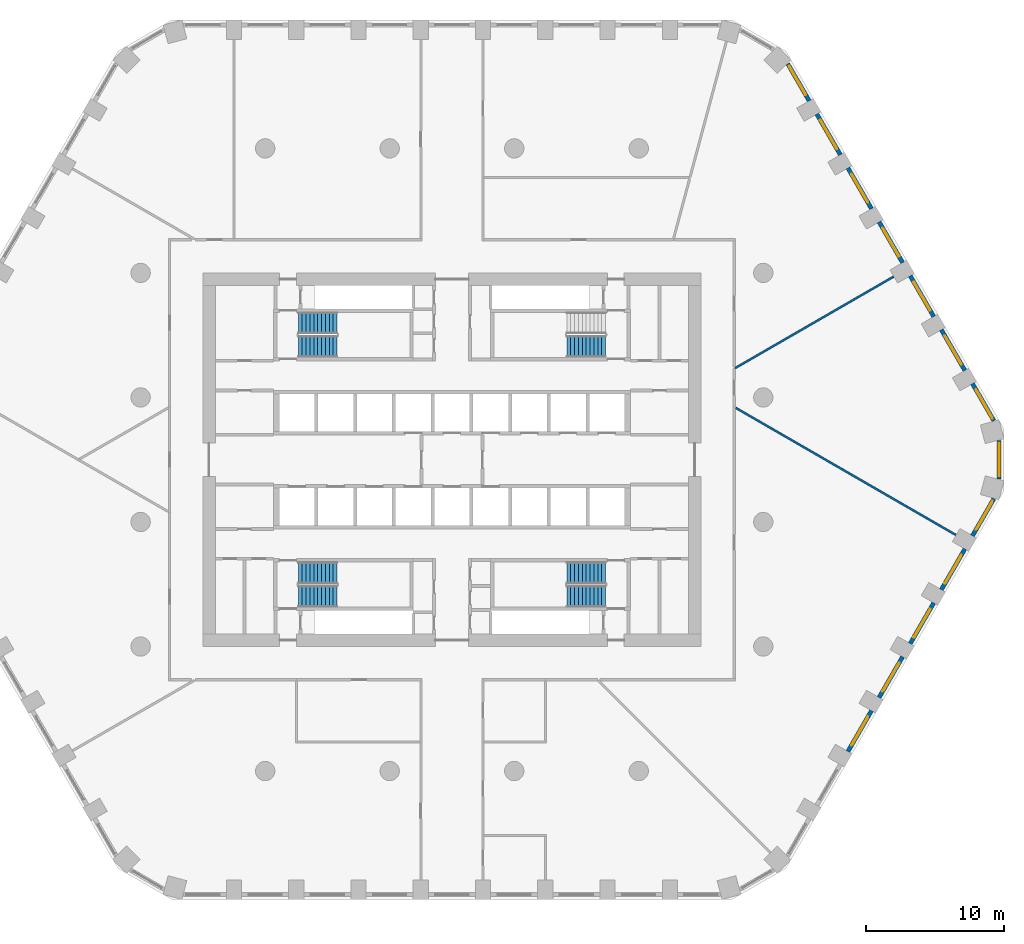
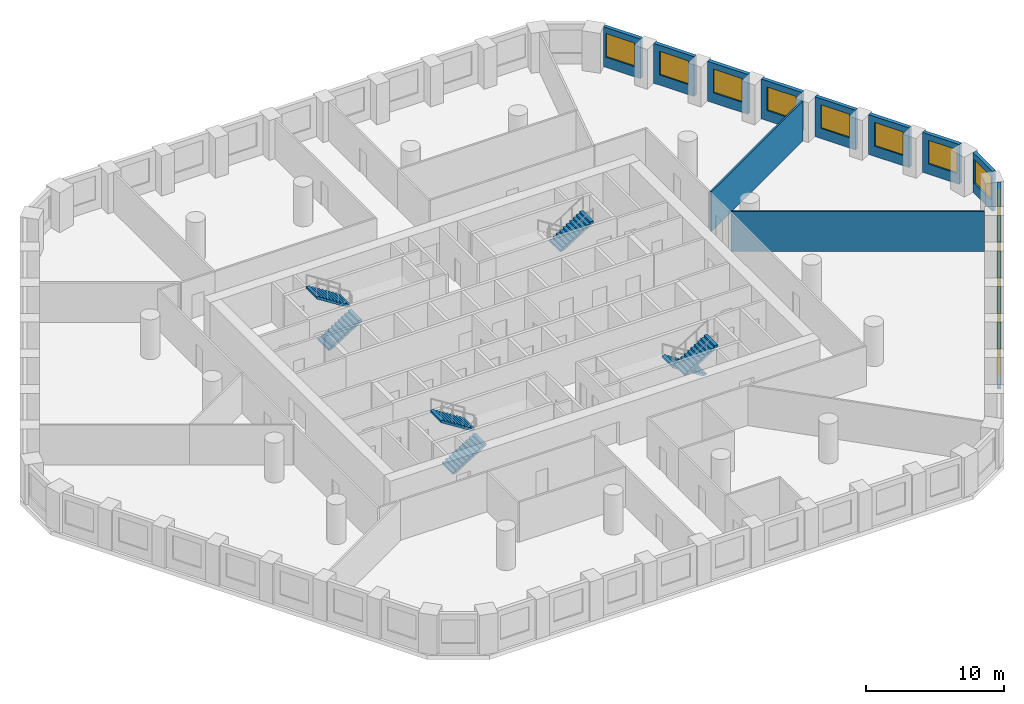
# One storey, part 8 of 10: 15 walls, 13 windows, 7 stair flights, 13 openings, 4 elements without a shape of their own.
"""IFC4 building model written with IfcOpenShell, lengths in metres."""

from ifc_helpers import new_model, si_unit, direction, frame, frame_2d, origin, place, context, subcontext, project, spatial, polyline, rectangle, outline, extrude, material, layer, layer_set, type_object, element, fill, aggregate, save


model = new_model("IFC4")

# Units and contexts
model_context = context("Model", 3, precision=1e-05, world=origin(), true_north=direction((0.0, 1.0)))
body_context = subcontext(model_context, "Body", "Model", "MODEL_VIEW")
ifc_project = project(units=[si_unit("LENGTHUNIT", "METRE"), si_unit("AREAUNIT", "SQUARE_METRE"), si_unit("VOLUMEUNIT", "CUBIC_METRE"), si_unit("PLANEANGLEUNIT", "RADIAN"), si_unit("MASSUNIT", "GRAM", prefix="KILO")], contexts=[model_context])

# Site, building, storey
site_placement = place(None, origin())
site = spatial("IfcSite", under=ifc_project, at=site_placement, CompositionType="ELEMENT")
building_placement = place(site_placement, origin())
building = spatial("IfcBuilding", under=site, at=building_placement, Name="Dhurran Vertical Campus", CompositionType="ELEMENT")
storey_placement = place(building_placement, frame((0.0, 0.0, 41.699951171875)))
storey = spatial("IfcBuildingStorey", under=building, at=storey_placement, Name="L09", CompositionType="ELEMENT", Elevation=41.699951171875)

# Wall, opening, window
ifc_material_1 = material(Name="Precast concrete C50/60", Category="concrete")
ifc_layer_1 = layer(ifc_material_1, 0.300048828125)
ifc_layer_set_1 = layer_set([ifc_layer_1], Name="Precast concrete C50/60")
wall_type_1 = type_object("IfcWallType", Name="Precast spandrel wall 300", PredefinedType="SOLIDWALL", material=ifc_layer_set_1)
wall_1_placement = place(storey_placement, frame((28.619384765625, -21.083740234375, 0.0), z_axis=(0.0, 0.0, 1.0), x_axis=(0.499993955907, 0.866028893315, 0.0)))
wall_1 = element("IfcWall", 1, at=wall_1_placement, inside=storey, type_object=wall_type_1, Name="EW1 L09.12", PredefinedType="SOLIDWALL", context=body_context, shape_type="SweptSolid", body=[
    extrude(rectangle(XDim=3.39892578125, YDim=0.300048828125, at=frame_2d((1.699462890625, 0.0))), origin(), (0.0, 0.0, 1.0), 3.525146484375),
])
opening_1_placement = place(wall_1_placement, frame((0.49951171875, 0.0, 0.89990234375)))
opening_1 = element("IfcOpeningElement", 2, at=opening_1_placement, cuts=wall_1, Name="Opening WT1", PredefinedType="OPENING", context=body_context, shape_type="SweptSolid", body=[
    extrude(rectangle(XDim=2.39990234375, YDim=2.10009765625, at=frame_2d((1.199951171875, 1.050048828125))), frame((0.0, 0.159912109375, 0.0), z_axis=(0.0, -1.0, 0.0), x_axis=(1.0, 0.0, 0.0)), (0.0, 0.0, 1.0), 0.320068359375),
])
ifc_material_2 = material(Name="Aluminium frame with solar-control glass", Category="aluminium")
window_type = type_object("IfcWindowType", Name="Punched window 2400 x 2100", PartitioningType="SINGLE_PANEL", PredefinedType="WINDOW", material=ifc_material_2)
window_1_placement = place(opening_1_placement, origin())
window_1 = element("IfcWindow", 3, at=window_1_placement, inside=storey, type_object=window_type, Name="WT1 L09.12", OverallHeight=2.10009765625, OverallWidth=2.39990234375, PartitioningType="SINGLE_PANEL", PredefinedType="WINDOW", context=body_context, shape_type="SweptSolid", body=[
    extrude(rectangle(XDim=2.39990234375, YDim=2.10009765625, at=frame_2d((1.199951171875, 1.050048828125))), frame((0.0, 0.030029296875, 0.0), z_axis=(0.0, -1.0, 0.0), x_axis=(1.0, 0.0, 0.0)), (0.0, 0.0, 1.0), 0.06005859375),
])
fill(opening_1, window_1)

wall_2_placement = place(storey_placement, frame((30.869384765625, -17.186767578125, 0.0), z_axis=(0.0, 0.0, 1.0), x_axis=(0.499993955907, 0.866028893315, 0.0)))
wall_2 = element("IfcWall", 4, at=wall_2_placement, inside=storey, type_object=wall_type_1, Name="EW1 L09.13", PredefinedType="SOLIDWALL", context=body_context, shape_type="SweptSolid", body=[
    extrude(rectangle(XDim=3.39892578125, YDim=0.300048828125, at=frame_2d((1.699462890625, 0.0))), origin(), (0.0, 0.0, 1.0), 3.525146484375),
])
opening_2_placement = place(wall_2_placement, frame((0.49951171875, 0.0, 0.89990234375)))
opening_2 = element("IfcOpeningElement", 5, at=opening_2_placement, cuts=wall_2, Name="Opening WT1", PredefinedType="OPENING", context=body_context, shape_type="SweptSolid", body=[
    extrude(rectangle(XDim=2.39990234375, YDim=2.10009765625, at=frame_2d((1.199951171875, 1.050048828125))), frame((0.0, 0.159912109375, 0.0), z_axis=(0.0, -1.0, 0.0), x_axis=(1.0, 0.0, 0.0)), (0.0, 0.0, 1.0), 0.320068359375),
])
window_2_placement = place(opening_2_placement, origin())
window_2 = element("IfcWindow", 6, at=window_2_placement, inside=storey, type_object=window_type, Name="WT1 L09.13", OverallHeight=2.10009765625, OverallWidth=2.39990234375, PartitioningType="SINGLE_PANEL", PredefinedType="WINDOW", context=body_context, shape_type="SweptSolid", body=[
    extrude(rectangle(XDim=2.39990234375, YDim=2.10009765625, at=frame_2d((1.199951171875, 1.050048828125))), frame((0.0, 0.030029296875, 0.0), z_axis=(0.0, -1.0, 0.0), x_axis=(1.0, 0.0, 0.0)), (0.0, 0.0, 1.0), 0.06005859375),
])
fill(opening_2, window_2)

wall_3_placement = place(storey_placement, frame((33.119384765625, -13.28955078125, 0.0), z_axis=(0.0, 0.0, 1.0), x_axis=(0.499993955907, 0.866028893315, 0.0)))
wall_3 = element("IfcWall", 7, at=wall_3_placement, inside=storey, type_object=wall_type_1, Name="EW1 L09.14", PredefinedType="SOLIDWALL", context=body_context, shape_type="SweptSolid", body=[
    extrude(rectangle(XDim=3.39892578125, YDim=0.300048828125, at=frame_2d((1.699462890625, 0.0))), origin(), (0.0, 0.0, 1.0), 3.525146484375),
])
opening_3_placement = place(wall_3_placement, frame((0.49951171875, 0.0, 0.89990234375)))
opening_3 = element("IfcOpeningElement", 8, at=opening_3_placement, cuts=wall_3, Name="Opening WT1", PredefinedType="OPENING", context=body_context, shape_type="SweptSolid", body=[
    extrude(rectangle(XDim=2.39990234375, YDim=2.10009765625, at=frame_2d((1.199951171875, 1.050048828125))), frame((0.0, 0.159912109375, 0.0), z_axis=(0.0, -1.0, 0.0), x_axis=(1.0, 0.0, 0.0)), (0.0, 0.0, 1.0), 0.320068359375),
])
window_3_placement = place(opening_3_placement, origin())
window_3 = element("IfcWindow", 9, at=window_3_placement, inside=storey, type_object=window_type, Name="WT1 L09.14", OverallHeight=2.10009765625, OverallWidth=2.39990234375, PartitioningType="SINGLE_PANEL", PredefinedType="WINDOW", context=body_context, shape_type="SweptSolid", body=[
    extrude(rectangle(XDim=2.39990234375, YDim=2.10009765625, at=frame_2d((1.199951171875, 1.050048828125))), frame((0.0, 0.030029296875, 0.0), z_axis=(0.0, -1.0, 0.0), x_axis=(1.0, 0.0, 0.0)), (0.0, 0.0, 1.0), 0.06005859375),
])
fill(opening_3, window_3)

wall_4_placement = place(storey_placement, frame((35.369384765625, -9.392578125, 0.0), z_axis=(0.0, 0.0, 1.0), x_axis=(0.499993955907, 0.866028893315, 0.0)))
wall_4 = element("IfcWall", 10, at=wall_4_placement, inside=storey, type_object=wall_type_1, Name="EW1 L09.15", PredefinedType="SOLIDWALL", context=body_context, shape_type="SweptSolid", body=[
    extrude(rectangle(XDim=3.39892578125, YDim=0.300048828125, at=frame_2d((1.699462890625, 0.0))), origin(), (0.0, 0.0, 1.0), 3.525146484375),
])
opening_4_placement = place(wall_4_placement, frame((0.49951171875, 0.0, 0.89990234375)))
opening_4 = element("IfcOpeningElement", 11, at=opening_4_placement, cuts=wall_4, Name="Opening WT1", PredefinedType="OPENING", context=body_context, shape_type="SweptSolid", body=[
    extrude(rectangle(XDim=2.39990234375, YDim=2.10009765625, at=frame_2d((1.199951171875, 1.050048828125))), frame((0.0, 0.159912109375, 0.0), z_axis=(0.0, -1.0, 0.0), x_axis=(1.0, 0.0, 0.0)), (0.0, 0.0, 1.0), 0.320068359375),
])
window_4_placement = place(opening_4_placement, origin())
window_4 = element("IfcWindow", 12, at=window_4_placement, inside=storey, type_object=window_type, Name="WT1 L09.15", OverallHeight=2.10009765625, OverallWidth=2.39990234375, PartitioningType="SINGLE_PANEL", PredefinedType="WINDOW", context=body_context, shape_type="SweptSolid", body=[
    extrude(rectangle(XDim=2.39990234375, YDim=2.10009765625, at=frame_2d((1.199951171875, 1.050048828125))), frame((0.0, 0.030029296875, 0.0), z_axis=(0.0, -1.0, 0.0), x_axis=(1.0, 0.0, 0.0)), (0.0, 0.0, 1.0), 0.06005859375),
])
fill(opening_4, window_4)

wall_5_placement = place(storey_placement, frame((37.619384765625, -5.495361328125, 0.0), z_axis=(0.0, 0.0, 1.0), x_axis=(0.49997090907, 0.866042198789, 0.0)))
wall_5 = element("IfcWall", 13, at=wall_5_placement, inside=storey, type_object=wall_type_1, Name="EW1 L09.16", PredefinedType="SOLIDWALL", context=body_context, shape_type="SweptSolid", body=[
    extrude(rectangle(XDim=3.090576171875, YDim=0.300048828125, at=frame_2d((1.54541015625, 0.0))), origin(), (0.0, 0.0, 1.0), 3.525146484375),
])
opening_5_placement = place(wall_5_placement, frame((0.49951171875, 0.0, 0.89990234375)))
opening_5 = element("IfcOpeningElement", 14, at=opening_5_placement, cuts=wall_5, Name="Opening WT1", PredefinedType="OPENING", context=body_context, shape_type="SweptSolid", body=[
    extrude(rectangle(XDim=2.39990234375, YDim=2.10009765625, at=frame_2d((1.199951171875, 1.050048828125))), frame((0.0, 0.159912109375, 0.0), z_axis=(0.0, -1.0, 0.0), x_axis=(1.0, 0.0, 0.0)), (0.0, 0.0, 1.0), 0.320068359375),
])
window_5_placement = place(opening_5_placement, origin())
window_5 = element("IfcWindow", 15, at=window_5_placement, inside=storey, type_object=window_type, Name="WT1 L09.16", OverallHeight=2.10009765625, OverallWidth=2.39990234375, PartitioningType="SINGLE_PANEL", PredefinedType="WINDOW", context=body_context, shape_type="SweptSolid", body=[
    extrude(rectangle(XDim=2.39990234375, YDim=2.10009765625, at=frame_2d((1.199951171875, 1.050048828125))), frame((0.0, 0.030029296875, 0.0), z_axis=(0.0, -1.0, 0.0), x_axis=(1.0, 0.0, 0.0)), (0.0, 0.0, 1.0), 0.06005859375),
])
fill(opening_5, window_5)

wall_6_placement = place(storey_placement, frame((39.547119140625, -1.39111328125, 0.0), z_axis=(0.0, 0.0, 1.0), x_axis=(0.0, 1.0, 0.0)))
wall_6 = element("IfcWall", 16, at=wall_6_placement, inside=storey, type_object=wall_type_1, Name="EW1 L09.17", PredefinedType="SOLIDWALL", context=body_context, shape_type="SweptSolid", body=[
    extrude(rectangle(XDim=2.7822265625, YDim=0.300048828125, at=frame_2d((1.39111328125, 0.0))), origin(), (0.0, 0.0, 1.0), 3.525146484375),
])
opening_6_placement = place(wall_6_placement, frame((0.191162109375, 0.0, 0.89990234375)))
opening_6 = element("IfcOpeningElement", 17, at=opening_6_placement, cuts=wall_6, Name="Opening WT1", PredefinedType="OPENING", context=body_context, shape_type="SweptSolid", body=[
    extrude(rectangle(XDim=2.39990234375, YDim=2.10009765625, at=frame_2d((1.199951171875, 1.050048828125))), frame((0.0, 0.159912109375, 0.0), z_axis=(0.0, -1.0, 0.0), x_axis=(1.0, 0.0, 0.0)), (0.0, 0.0, 1.0), 0.320068359375),
])
window_6_placement = place(opening_6_placement, origin())
window_6 = element("IfcWindow", 18, at=window_6_placement, inside=storey, type_object=window_type, Name="WT1 L09.17", OverallHeight=2.10009765625, OverallWidth=2.39990234375, PartitioningType="SINGLE_PANEL", PredefinedType="WINDOW", context=body_context, shape_type="SweptSolid", body=[
    extrude(rectangle(XDim=2.39990234375, YDim=2.10009765625, at=frame_2d((1.199951171875, 1.050048828125))), frame((0.0, 0.030029296875, 0.0), z_axis=(0.0, -1.0, 0.0), x_axis=(1.0, 0.0, 0.0)), (0.0, 0.0, 1.0), 0.06005859375),
])
fill(opening_6, window_6)

wall_7_placement = place(storey_placement, frame((39.16455078125, 2.81884765625, 0.0), z_axis=(0.0, 0.0, 1.0), x_axis=(-0.49997090907, 0.866042198789, 0.0)))
wall_7 = element("IfcWall", 19, at=wall_7_placement, inside=storey, type_object=wall_type_1, Name="EW1 L09.18", PredefinedType="SOLIDWALL", context=body_context, shape_type="SweptSolid", body=[
    extrude(rectangle(XDim=3.090576171875, YDim=0.300048828125, at=frame_2d((1.54541015625, 0.0))), origin(), (0.0, 0.0, 1.0), 3.525146484375),
])
opening_7_placement = place(wall_7_placement, frame((0.19091796875, 0.0, 0.89990234375)))
opening_7 = element("IfcOpeningElement", 20, at=opening_7_placement, cuts=wall_7, Name="Opening WT1", PredefinedType="OPENING", context=body_context, shape_type="SweptSolid", body=[
    extrude(rectangle(XDim=2.39990234375, YDim=2.10009765625, at=frame_2d((1.199951171875, 1.050048828125))), frame((0.0, 0.159912109375, 0.0), z_axis=(0.0, -1.0, 0.0), x_axis=(1.0, 0.0, 0.0)), (0.0, 0.0, 1.0), 0.320068359375),
])
window_7_placement = place(opening_7_placement, origin())
window_7 = element("IfcWindow", 21, at=window_7_placement, inside=storey, type_object=window_type, Name="WT1 L09.18", OverallHeight=2.10009765625, OverallWidth=2.39990234375, PartitioningType="SINGLE_PANEL", PredefinedType="WINDOW", context=body_context, shape_type="SweptSolid", body=[
    extrude(rectangle(XDim=2.39990234375, YDim=2.10009765625, at=frame_2d((1.199951171875, 1.050048828125))), frame((0.0, 0.030029296875, 0.0), z_axis=(0.0, -1.0, 0.0), x_axis=(1.0, 0.0, 0.0)), (0.0, 0.0, 1.0), 0.06005859375),
])
fill(opening_7, window_7)

wall_8_placement = place(storey_placement, frame((37.06884765625, 6.448974609375, 0.0), z_axis=(0.0, 0.0, 1.0), x_axis=(-0.499993955907, 0.866028893315, 0.0)))
wall_8 = element("IfcWall", 22, at=wall_8_placement, inside=storey, type_object=wall_type_1, Name="EW1 L09.19", PredefinedType="SOLIDWALL", context=body_context, shape_type="SweptSolid", body=[
    extrude(rectangle(XDim=3.39892578125, YDim=0.300048828125, at=frame_2d((1.699462890625, 0.0))), origin(), (0.0, 0.0, 1.0), 3.525146484375),
])
opening_8_placement = place(wall_8_placement, frame((0.49951171875, 0.0, 0.89990234375)))
opening_8 = element("IfcOpeningElement", 23, at=opening_8_placement, cuts=wall_8, Name="Opening WT1", PredefinedType="OPENING", context=body_context, shape_type="SweptSolid", body=[
    extrude(rectangle(XDim=2.39990234375, YDim=2.10009765625, at=frame_2d((1.199951171875, 1.050048828125))), frame((0.0, 0.159912109375, 0.0), z_axis=(0.0, -1.0, 0.0), x_axis=(1.0, 0.0, 0.0)), (0.0, 0.0, 1.0), 0.320068359375),
])
window_8_placement = place(opening_8_placement, origin())
window_8 = element("IfcWindow", 24, at=window_8_placement, inside=storey, type_object=window_type, Name="WT1 L09.19", OverallHeight=2.10009765625, OverallWidth=2.39990234375, PartitioningType="SINGLE_PANEL", PredefinedType="WINDOW", context=body_context, shape_type="SweptSolid", body=[
    extrude(rectangle(XDim=2.39990234375, YDim=2.10009765625, at=frame_2d((1.199951171875, 1.050048828125))), frame((0.0, 0.030029296875, 0.0), z_axis=(0.0, -1.0, 0.0), x_axis=(1.0, 0.0, 0.0)), (0.0, 0.0, 1.0), 0.06005859375),
])
fill(opening_8, window_8)

wall_9_placement = place(storey_placement, frame((34.81884765625, 10.345947265625, 0.0), z_axis=(0.0, 0.0, 1.0), x_axis=(-0.499993955907, 0.866028893315, 0.0)))
wall_9 = element("IfcWall", 25, at=wall_9_placement, inside=storey, type_object=wall_type_1, Name="EW1 L09.20", PredefinedType="SOLIDWALL", context=body_context, shape_type="SweptSolid", body=[
    extrude(rectangle(XDim=3.39892578125, YDim=0.300048828125, at=frame_2d((1.699462890625, 0.0))), origin(), (0.0, 0.0, 1.0), 3.525146484375),
])
opening_9_placement = place(wall_9_placement, frame((0.49951171875, 0.0, 0.89990234375)))
opening_9 = element("IfcOpeningElement", 26, at=opening_9_placement, cuts=wall_9, Name="Opening WT1", PredefinedType="OPENING", context=body_context, shape_type="SweptSolid", body=[
    extrude(rectangle(XDim=2.39990234375, YDim=2.10009765625, at=frame_2d((1.199951171875, 1.050048828125))), frame((0.0, 0.159912109375, 0.0), z_axis=(0.0, -1.0, 0.0), x_axis=(1.0, 0.0, 0.0)), (0.0, 0.0, 1.0), 0.320068359375),
])
window_9_placement = place(opening_9_placement, origin())
window_9 = element("IfcWindow", 27, at=window_9_placement, inside=storey, type_object=window_type, Name="WT1 L09.20", OverallHeight=2.10009765625, OverallWidth=2.39990234375, PartitioningType="SINGLE_PANEL", PredefinedType="WINDOW", context=body_context, shape_type="SweptSolid", body=[
    extrude(rectangle(XDim=2.39990234375, YDim=2.10009765625, at=frame_2d((1.199951171875, 1.050048828125))), frame((0.0, 0.030029296875, 0.0), z_axis=(0.0, -1.0, 0.0), x_axis=(1.0, 0.0, 0.0)), (0.0, 0.0, 1.0), 0.06005859375),
])
fill(opening_9, window_9)

wall_10_placement = place(storey_placement, frame((32.56884765625, 14.2431640625, 0.0), z_axis=(0.0, 0.0, 1.0), x_axis=(-0.499993955907, 0.866028893315, 0.0)))
wall_10 = element("IfcWall", 28, at=wall_10_placement, inside=storey, type_object=wall_type_1, Name="EW1 L09.21", PredefinedType="SOLIDWALL", context=body_context, shape_type="SweptSolid", body=[
    extrude(rectangle(XDim=3.39892578125, YDim=0.300048828125, at=frame_2d((1.699462890625, 0.0))), origin(), (0.0, 0.0, 1.0), 3.525146484375),
])
opening_10_placement = place(wall_10_placement, frame((0.49951171875, 0.0, 0.89990234375)))
opening_10 = element("IfcOpeningElement", 29, at=opening_10_placement, cuts=wall_10, Name="Opening WT1", PredefinedType="OPENING", context=body_context, shape_type="SweptSolid", body=[
    extrude(rectangle(XDim=2.39990234375, YDim=2.10009765625, at=frame_2d((1.199951171875, 1.050048828125))), frame((0.0, 0.159912109375, 0.0), z_axis=(0.0, -1.0, 0.0), x_axis=(1.0, 0.0, 0.0)), (0.0, 0.0, 1.0), 0.320068359375),
])
window_10_placement = place(opening_10_placement, origin())
window_10 = element("IfcWindow", 30, at=window_10_placement, inside=storey, type_object=window_type, Name="WT1 L09.21", OverallHeight=2.10009765625, OverallWidth=2.39990234375, PartitioningType="SINGLE_PANEL", PredefinedType="WINDOW", context=body_context, shape_type="SweptSolid", body=[
    extrude(rectangle(XDim=2.39990234375, YDim=2.10009765625, at=frame_2d((1.199951171875, 1.050048828125))), frame((0.0, 0.030029296875, 0.0), z_axis=(0.0, -1.0, 0.0), x_axis=(1.0, 0.0, 0.0)), (0.0, 0.0, 1.0), 0.06005859375),
])
fill(opening_10, window_10)

wall_11_placement = place(storey_placement, frame((30.31884765625, 18.14013671875, 0.0), z_axis=(0.0, 0.0, 1.0), x_axis=(-0.499993955907, 0.866028893315, 0.0)))
wall_11 = element("IfcWall", 31, at=wall_11_placement, inside=storey, type_object=wall_type_1, Name="EW1 L09.22", PredefinedType="SOLIDWALL", context=body_context, shape_type="SweptSolid", body=[
    extrude(rectangle(XDim=3.39892578125, YDim=0.300048828125, at=frame_2d((1.699462890625, 0.0))), origin(), (0.0, 0.0, 1.0), 3.525146484375),
])
opening_11_placement = place(wall_11_placement, frame((0.49951171875, 0.0, 0.89990234375)))
opening_11 = element("IfcOpeningElement", 32, at=opening_11_placement, cuts=wall_11, Name="Opening WT1", PredefinedType="OPENING", context=body_context, shape_type="SweptSolid", body=[
    extrude(rectangle(XDim=2.39990234375, YDim=2.10009765625, at=frame_2d((1.199951171875, 1.050048828125))), frame((0.0, 0.159912109375, 0.0), z_axis=(0.0, -1.0, 0.0), x_axis=(1.0, 0.0, 0.0)), (0.0, 0.0, 1.0), 0.320068359375),
])
window_11_placement = place(opening_11_placement, origin())
window_11 = element("IfcWindow", 33, at=window_11_placement, inside=storey, type_object=window_type, Name="WT1 L09.22", OverallHeight=2.10009765625, OverallWidth=2.39990234375, PartitioningType="SINGLE_PANEL", PredefinedType="WINDOW", context=body_context, shape_type="SweptSolid", body=[
    extrude(rectangle(XDim=2.39990234375, YDim=2.10009765625, at=frame_2d((1.199951171875, 1.050048828125))), frame((0.0, 0.030029296875, 0.0), z_axis=(0.0, -1.0, 0.0), x_axis=(1.0, 0.0, 0.0)), (0.0, 0.0, 1.0), 0.06005859375),
])
fill(opening_11, window_11)

wall_12_placement = place(storey_placement, frame((28.06884765625, 22.037353515625, 0.0), z_axis=(0.0, 0.0, 1.0), x_axis=(-0.499993955907, 0.866028893315, 0.0)))
wall_12 = element("IfcWall", 34, at=wall_12_placement, inside=storey, type_object=wall_type_1, Name="EW1 L09.23", PredefinedType="SOLIDWALL", context=body_context, shape_type="SweptSolid", body=[
    extrude(rectangle(XDim=3.39892578125, YDim=0.300048828125, at=frame_2d((1.699462890625, 0.0))), origin(), (0.0, 0.0, 1.0), 3.525146484375),
])
opening_12_placement = place(wall_12_placement, frame((0.49951171875, 0.0, 0.89990234375)))
opening_12 = element("IfcOpeningElement", 35, at=opening_12_placement, cuts=wall_12, Name="Opening WT1", PredefinedType="OPENING", context=body_context, shape_type="SweptSolid", body=[
    extrude(rectangle(XDim=2.39990234375, YDim=2.10009765625, at=frame_2d((1.199951171875, 1.050048828125))), frame((0.0, 0.159912109375, 0.0), z_axis=(0.0, -1.0, 0.0), x_axis=(1.0, 0.0, 0.0)), (0.0, 0.0, 1.0), 0.320068359375),
])
window_12_placement = place(opening_12_placement, origin())
window_12 = element("IfcWindow", 36, at=window_12_placement, inside=storey, type_object=window_type, Name="WT1 L09.23", OverallHeight=2.10009765625, OverallWidth=2.39990234375, PartitioningType="SINGLE_PANEL", PredefinedType="WINDOW", context=body_context, shape_type="SweptSolid", body=[
    extrude(rectangle(XDim=2.39990234375, YDim=2.10009765625, at=frame_2d((1.199951171875, 1.050048828125))), frame((0.0, 0.030029296875, 0.0), z_axis=(0.0, -1.0, 0.0), x_axis=(1.0, 0.0, 0.0)), (0.0, 0.0, 1.0), 0.06005859375),
])
fill(opening_12, window_12)

wall_13_placement = place(storey_placement, frame((25.81884765625, 25.934326171875, 0.0), z_axis=(0.0, 0.0, 1.0), x_axis=(-0.499995950774, 0.866027741594, 0.0)))
wall_13 = element("IfcWall", 37, at=wall_13_placement, inside=storey, type_object=wall_type_1, Name="EW1 L09.24", PredefinedType="SOLIDWALL", context=body_context, shape_type="SweptSolid", body=[
    extrude(rectangle(XDim=3.0908203125, YDim=0.300048828125, at=frame_2d((1.54541015625, 0.0))), origin(), (0.0, 0.0, 1.0), 3.525146484375),
])
opening_13_placement = place(wall_13_placement, frame((0.49951171875, 0.0, 0.89990234375)))
opening_13 = element("IfcOpeningElement", 38, at=opening_13_placement, cuts=wall_13, Name="Opening WT1", PredefinedType="OPENING", context=body_context, shape_type="SweptSolid", body=[
    extrude(rectangle(XDim=2.39990234375, YDim=2.10009765625, at=frame_2d((1.199951171875, 1.050048828125))), frame((0.0, 0.159912109375, 0.0), z_axis=(0.0, -1.0, 0.0), x_axis=(1.0, 0.0, 0.0)), (0.0, 0.0, 1.0), 0.320068359375),
])
window_13_placement = place(opening_13_placement, origin())
window_13 = element("IfcWindow", 39, at=window_13_placement, inside=storey, type_object=window_type, Name="WT1 L09.24", OverallHeight=2.10009765625, OverallWidth=2.39990234375, PartitioningType="SINGLE_PANEL", PredefinedType="WINDOW", context=body_context, shape_type="SweptSolid", body=[
    extrude(rectangle(XDim=2.39990234375, YDim=2.10009765625, at=frame_2d((1.199951171875, 1.050048828125))), frame((0.0, 0.030029296875, 0.0), z_axis=(0.0, -1.0, 0.0), x_axis=(1.0, 0.0, 0.0)), (0.0, 0.0, 1.0), 0.06005859375),
])
fill(opening_13, window_13)

# Walls
ifc_material_3 = material(Name="Gypsum board partition on steel studs", Category="steel")
ifc_layer_2 = layer(ifc_material_3, 0.14990234375)
ifc_layer_set_2 = layer_set([ifc_layer_2], Name="Gypsum board partition on steel studs")
wall_type_2 = type_object("IfcWallType", Name="fl-PW-150 fixed partition", PredefinedType="PARTITIONING", material=ifc_layer_set_2)
wall_14_placement = place(storey_placement, frame((20.5126953125, 3.74609375, 0.0), z_axis=(0.0, 0.0, 1.0), x_axis=(0.866010916479, -0.500025091909, 0.0)))
element("IfcWall", 40, at=wall_14_placement, inside=storey, type_object=wall_type_2, Name="Partition 09-41", PredefinedType="PARTITIONING", context=body_context, shape_type="SweptSolid", body=[
    extrude(rectangle(XDim=18.365234375, YDim=0.14990234375, at=frame_2d((9.1826171875, 0.0))), origin(), (0.0, 0.0, 1.0), 3.525146484375),
])
wall_15_placement = place(storey_placement, frame((31.91748046875, 13.231201171875, 0.0), z_axis=(0.0, 0.0, 1.0), x_axis=(-0.866032788616, -0.499987208879, 0.0)))
element("IfcWall", 41, at=wall_15_placement, inside=storey, type_object=wall_type_2, Name="Partition 09-43", PredefinedType="PARTITIONING", context=body_context, shape_type="SweptSolid", body=[
    extrude(rectangle(XDim=13.223876953125, YDim=0.14990234375, at=frame_2d((6.61181640625, 0.0))), origin(), (0.0, 0.0, 1.0), 3.525146484375),
])

# Stair, stair flights
ifc_material_4 = material(Name="Concrete C40/50", Category="concrete")
stair_type = type_object("IfcStairType", Name="co-ST-CORE", PredefinedType="HALF_TURN_STAIR", material=ifc_material_4)
stair_1_placement = place(storey_placement, origin())
stair_1 = element("IfcStair", 42, at=stair_1_placement, inside=storey, type_object=stair_type, Name="L09 Protected exit stair ST1", PredefinedType="HALF_TURN_STAIR")
ifc_material_5 = material(Name="Concrete C40/50", Category="concrete")
stair_flight_type = type_object("IfcStairFlightType", Name="co-SFL-RC", PredefinedType="STRAIGHT", material=ifc_material_5)
stair_flight_1_placement = place(storey_placement, frame((-11.10009765625, 8.175048828125, 0.0), z_axis=(0.0, 0.0, 1.0), x_axis=(1.0, 0.0, 0.0)))
stair_flight_1 = element("IfcStairFlight", 43, at=stair_flight_1_placement, type_object=stair_flight_type, Name="ST1 flight 1", NumberOfRisers=11, NumberOfTreads=10, PredefinedType="STRAIGHT", RiserHeight=0.177272727, TreadLength=0.28, context=body_context, shape_type="SweptSolid", body=[
    extrude(outline(polyline([(0.0, 0.0), (0.0, 0.17724609375), (0.280029296875, 0.17724609375), (0.280029296875, 0.3544921875), (0.56005859375, 0.3544921875), (0.56005859375, 0.53173828125), (0.840087890625, 0.53173828125), (0.840087890625, 0.708984375), (1.1201171875, 0.708984375), (1.1201171875, 0.886474609375), (1.39990234375, 0.886474609375), (1.39990234375, 1.063720703125), (1.679931640625, 1.063720703125), (1.679931640625, 1.240966796875), (1.9599609375, 1.240966796875), (1.9599609375, 1.418212890625), (2.239990234375, 1.418212890625), (2.239990234375, 1.595458984375), (2.52001953125, 1.595458984375), (2.52001953125, 1.772705078125), (2.800048828125, 1.772705078125), (2.800048828125, 1.949951171875), (2.800048828125, 1.59521484375), (0.2802734375, 0.0), (0.0, 0.0)])), frame((0.0, 0.77490234375, 0.0), z_axis=(0.0, -1.0, 0.0), x_axis=(1.0, 0.0, 0.0)), (0.0, 0.0, 1.0), 1.550048828125),
])
stair_flight_2_placement = place(storey_placement, frame((-8.300048828125, 9.875, 1.949951171875), z_axis=(0.0, 0.0, 1.0), x_axis=(-1.0, 0.0, 0.0)))
stair_flight_2 = element("IfcStairFlight", 44, at=stair_flight_2_placement, type_object=stair_flight_type, Name="ST1 flight 2", NumberOfRisers=11, NumberOfTreads=10, PredefinedType="STRAIGHT", RiserHeight=0.177272727, TreadLength=0.28, context=body_context, shape_type="SweptSolid", body=[
    extrude(outline(polyline([(0.0, 0.0), (0.0, 0.17724609375), (0.280029296875, 0.17724609375), (0.280029296875, 0.3544921875), (0.56005859375, 0.3544921875), (0.56005859375, 0.53173828125), (0.840087890625, 0.53173828125), (0.840087890625, 0.708984375), (1.1201171875, 0.708984375), (1.1201171875, 0.886474609375), (1.39990234375, 0.886474609375), (1.39990234375, 1.063720703125), (1.679931640625, 1.063720703125), (1.679931640625, 1.240966796875), (1.9599609375, 1.240966796875), (1.9599609375, 1.418212890625), (2.239990234375, 1.418212890625), (2.239990234375, 1.595458984375), (2.52001953125, 1.595458984375), (2.52001953125, 1.772705078125), (2.800048828125, 1.772705078125), (2.800048828125, 1.949951171875), (2.800048828125, 1.59521484375), (0.2802734375, 0.0), (0.0, 0.0)])), frame((0.0, 0.77490234375, 0.0), z_axis=(0.0, -1.0, 0.0), x_axis=(1.0, 0.0, 0.0)), (0.0, 0.0, 1.0), 1.550048828125),
])
aggregate(stair_1, [stair_flight_1, stair_flight_2])

# Stair, stair flight
stair_2_placement = place(storey_placement, origin())
stair_2 = element("IfcStair", 45, at=stair_2_placement, inside=storey, type_object=stair_type, Name="L09 Protected exit stair ST2", PredefinedType="HALF_TURN_STAIR")
stair_flight_3_placement = place(storey_placement, frame((8.300048828125, 8.175048828125, 1.949951171875), z_axis=(0.0, 0.0, 1.0), x_axis=(1.0, 0.0, 0.0)))
stair_flight_3 = element("IfcStairFlight", 46, at=stair_flight_3_placement, type_object=stair_flight_type, Name="ST2 flight 2", NumberOfRisers=11, NumberOfTreads=10, PredefinedType="STRAIGHT", RiserHeight=0.177272727, TreadLength=0.28, context=body_context, shape_type="SweptSolid", body=[
    extrude(outline(polyline([(0.0, 0.0), (0.0, 0.17724609375), (0.280029296875, 0.17724609375), (0.280029296875, 0.3544921875), (0.56005859375, 0.3544921875), (0.56005859375, 0.53173828125), (0.840087890625, 0.53173828125), (0.840087890625, 0.708984375), (1.1201171875, 0.708984375), (1.1201171875, 0.886474609375), (1.39990234375, 0.886474609375), (1.39990234375, 1.063720703125), (1.679931640625, 1.063720703125), (1.679931640625, 1.240966796875), (1.9599609375, 1.240966796875), (1.9599609375, 1.418212890625), (2.239990234375, 1.418212890625), (2.239990234375, 1.595458984375), (2.52001953125, 1.595458984375), (2.52001953125, 1.772705078125), (2.800048828125, 1.772705078125), (2.800048828125, 1.949951171875), (2.800048828125, 1.59521484375), (0.2802734375, 0.0), (0.0, 0.0)])), frame((0.0, 0.77490234375, 0.0), z_axis=(0.0, -1.0, 0.0), x_axis=(1.0, 0.0, 0.0)), (0.0, 0.0, 1.0), 1.550048828125),
])
aggregate(stair_2, [stair_flight_3])

# Stair, stair flights
stair_3_placement = place(storey_placement, origin())
stair_3 = element("IfcStair", 47, at=stair_3_placement, inside=storey, type_object=stair_type, Name="L09 Protected exit stair ST3", PredefinedType="HALF_TURN_STAIR")
stair_flight_4_placement = place(storey_placement, frame((-11.10009765625, -9.875, 0.0), z_axis=(0.0, 0.0, 1.0), x_axis=(1.0, 0.0, 0.0)))
stair_flight_4 = element("IfcStairFlight", 48, at=stair_flight_4_placement, type_object=stair_flight_type, Name="ST3 flight 1", NumberOfRisers=11, NumberOfTreads=10, PredefinedType="STRAIGHT", RiserHeight=0.177272727, TreadLength=0.28, context=body_context, shape_type="SweptSolid", body=[
    extrude(outline(polyline([(0.0, 0.0), (0.0, 0.17724609375), (0.280029296875, 0.17724609375), (0.280029296875, 0.3544921875), (0.56005859375, 0.3544921875), (0.56005859375, 0.53173828125), (0.840087890625, 0.53173828125), (0.840087890625, 0.708984375), (1.1201171875, 0.708984375), (1.1201171875, 0.886474609375), (1.39990234375, 0.886474609375), (1.39990234375, 1.063720703125), (1.679931640625, 1.063720703125), (1.679931640625, 1.240966796875), (1.9599609375, 1.240966796875), (1.9599609375, 1.418212890625), (2.239990234375, 1.418212890625), (2.239990234375, 1.595458984375), (2.52001953125, 1.595458984375), (2.52001953125, 1.772705078125), (2.800048828125, 1.772705078125), (2.800048828125, 1.949951171875), (2.800048828125, 1.59521484375), (0.2802734375, 0.0), (0.0, 0.0)])), frame((0.0, 0.77490234375, 0.0), z_axis=(0.0, -1.0, 0.0), x_axis=(1.0, 0.0, 0.0)), (0.0, 0.0, 1.0), 1.550048828125),
])
stair_flight_5_placement = place(storey_placement, frame((-8.300048828125, -8.175048828125, 1.949951171875), z_axis=(0.0, 0.0, 1.0), x_axis=(-1.0, 0.0, 0.0)))
stair_flight_5 = element("IfcStairFlight", 49, at=stair_flight_5_placement, type_object=stair_flight_type, Name="ST3 flight 2", NumberOfRisers=11, NumberOfTreads=10, PredefinedType="STRAIGHT", RiserHeight=0.177272727, TreadLength=0.28, context=body_context, shape_type="SweptSolid", body=[
    extrude(outline(polyline([(0.0, 0.0), (0.0, 0.17724609375), (0.280029296875, 0.17724609375), (0.280029296875, 0.3544921875), (0.56005859375, 0.3544921875), (0.56005859375, 0.53173828125), (0.840087890625, 0.53173828125), (0.840087890625, 0.708984375), (1.1201171875, 0.708984375), (1.1201171875, 0.886474609375), (1.39990234375, 0.886474609375), (1.39990234375, 1.063720703125), (1.679931640625, 1.063720703125), (1.679931640625, 1.240966796875), (1.9599609375, 1.240966796875), (1.9599609375, 1.418212890625), (2.239990234375, 1.418212890625), (2.239990234375, 1.595458984375), (2.52001953125, 1.595458984375), (2.52001953125, 1.772705078125), (2.800048828125, 1.772705078125), (2.800048828125, 1.949951171875), (2.800048828125, 1.59521484375), (0.2802734375, 0.0), (0.0, 0.0)])), frame((0.0, 0.77490234375, 0.0), z_axis=(0.0, -1.0, 0.0), x_axis=(1.0, 0.0, 0.0)), (0.0, 0.0, 1.0), 1.550048828125),
])
aggregate(stair_3, [stair_flight_4, stair_flight_5])

stair_4_placement = place(storey_placement, origin())
stair_4 = element("IfcStair", 50, at=stair_4_placement, inside=storey, type_object=stair_type, Name="L09 Protected exit stair ST4", PredefinedType="HALF_TURN_STAIR")
stair_flight_6_placement = place(storey_placement, frame((11.10009765625, -8.175048828125, 0.0), z_axis=(0.0, 0.0, 1.0), x_axis=(-1.0, 0.0, 0.0)))
stair_flight_6 = element("IfcStairFlight", 51, at=stair_flight_6_placement, type_object=stair_flight_type, Name="ST4 flight 1", NumberOfRisers=11, NumberOfTreads=10, PredefinedType="STRAIGHT", RiserHeight=0.177272727, TreadLength=0.28, context=body_context, shape_type="SweptSolid", body=[
    extrude(outline(polyline([(0.0, 0.0), (0.0, 0.17724609375), (0.280029296875, 0.17724609375), (0.280029296875, 0.3544921875), (0.56005859375, 0.3544921875), (0.56005859375, 0.53173828125), (0.840087890625, 0.53173828125), (0.840087890625, 0.708984375), (1.1201171875, 0.708984375), (1.1201171875, 0.886474609375), (1.39990234375, 0.886474609375), (1.39990234375, 1.063720703125), (1.679931640625, 1.063720703125), (1.679931640625, 1.240966796875), (1.9599609375, 1.240966796875), (1.9599609375, 1.418212890625), (2.239990234375, 1.418212890625), (2.239990234375, 1.595458984375), (2.52001953125, 1.595458984375), (2.52001953125, 1.772705078125), (2.800048828125, 1.772705078125), (2.800048828125, 1.949951171875), (2.800048828125, 1.59521484375), (0.2802734375, 0.0), (0.0, 0.0)])), frame((0.0, 0.77490234375, 0.0), z_axis=(0.0, -1.0, 0.0), x_axis=(1.0, 0.0, 0.0)), (0.0, 0.0, 1.0), 1.550048828125),
])
stair_flight_7_placement = place(storey_placement, frame((8.300048828125, -9.875, 1.949951171875), z_axis=(0.0, 0.0, 1.0), x_axis=(1.0, 0.0, 0.0)))
stair_flight_7 = element("IfcStairFlight", 52, at=stair_flight_7_placement, type_object=stair_flight_type, Name="ST4 flight 2", NumberOfRisers=11, NumberOfTreads=10, PredefinedType="STRAIGHT", RiserHeight=0.177272727, TreadLength=0.28, context=body_context, shape_type="SweptSolid", body=[
    extrude(outline(polyline([(0.0, 0.0), (0.0, 0.17724609375), (0.280029296875, 0.17724609375), (0.280029296875, 0.3544921875), (0.56005859375, 0.3544921875), (0.56005859375, 0.53173828125), (0.840087890625, 0.53173828125), (0.840087890625, 0.708984375), (1.1201171875, 0.708984375), (1.1201171875, 0.886474609375), (1.39990234375, 0.886474609375), (1.39990234375, 1.063720703125), (1.679931640625, 1.063720703125), (1.679931640625, 1.240966796875), (1.9599609375, 1.240966796875), (1.9599609375, 1.418212890625), (2.239990234375, 1.418212890625), (2.239990234375, 1.595458984375), (2.52001953125, 1.595458984375), (2.52001953125, 1.772705078125), (2.800048828125, 1.772705078125), (2.800048828125, 1.949951171875), (2.800048828125, 1.59521484375), (0.2802734375, 0.0), (0.0, 0.0)])), frame((0.0, 0.77490234375, 0.0), z_axis=(0.0, -1.0, 0.0), x_axis=(1.0, 0.0, 0.0)), (0.0, 0.0, 1.0), 1.550048828125),
])
aggregate(stair_4, [stair_flight_6, stair_flight_7])

save(model, "model.ifc")
